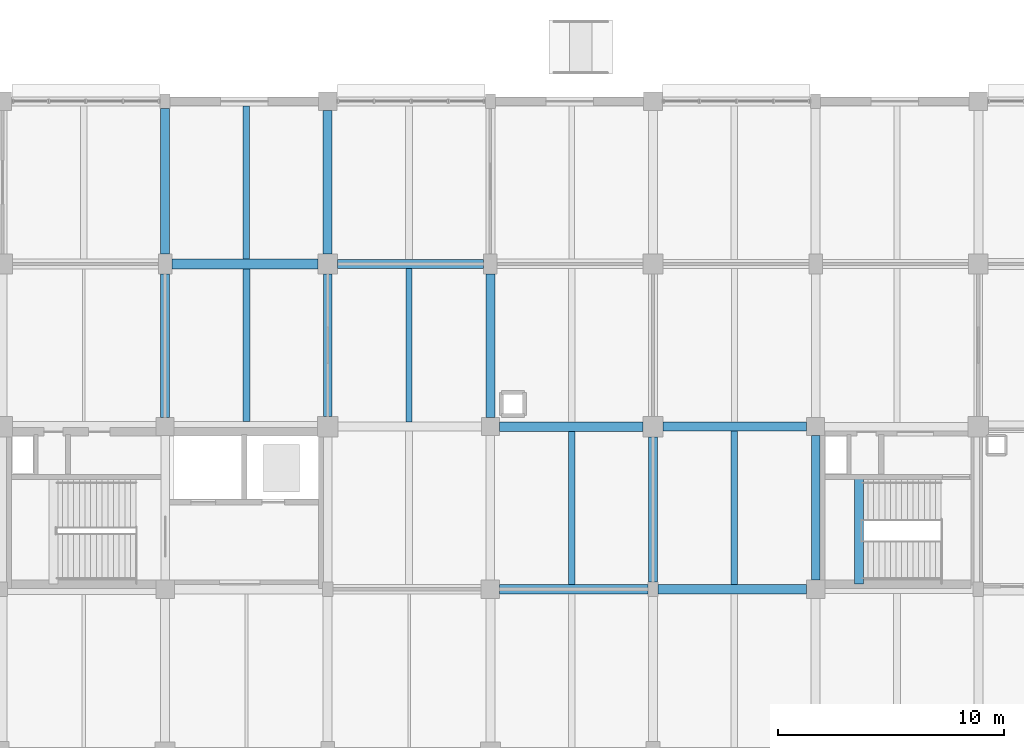
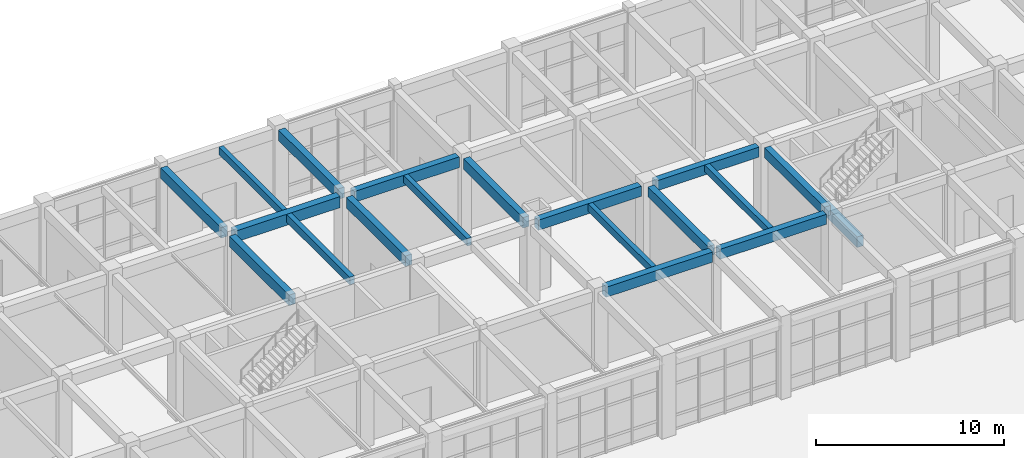
# One storey, part 64 of 160: 19 beams.
"""IFC4 building model written with IfcOpenShell, lengths in metres."""

from ifc_helpers import new_model, si_unit, direction, frame, origin, origin_2d, place, context, subcontext, project, spatial, rectangle, extrude, material, material_profile, profile_set, type_object, element, save


model = new_model("IFC4")

# Units and contexts
model_context = context("Model", 3, precision=1e-05, world=origin(), true_north=direction((0.0, 1.0)))
body_context = subcontext(model_context, "Body", "Model", "MODEL_VIEW")
ifc_project = project(units=[si_unit("LENGTHUNIT", "METRE"), si_unit("AREAUNIT", "SQUARE_METRE"), si_unit("VOLUMEUNIT", "CUBIC_METRE"), si_unit("PLANEANGLEUNIT", "RADIAN"), si_unit("MASSUNIT", "GRAM", prefix="KILO")], contexts=[model_context])

# Site, building, storey
site_placement = place(None, origin())
site = spatial("IfcSite", under=ifc_project, at=site_placement, CompositionType="ELEMENT")
building_placement = place(site_placement, origin())
building = spatial("IfcBuilding", under=site, at=building_placement, Name="Thalmaran Polytechnic", CompositionType="ELEMENT")
storey_placement = place(building_placement, origin())
storey = spatial("IfcBuildingStorey", under=building, at=storey_placement, Name="L00", CompositionType="ELEMENT", Elevation=0.0)

# Beams
ifc_material = material(Name="Concrete C40/50", Category="concrete")
ifc_material_profile_1 = material_profile(ifc_material, rectangle(XDim=0.39990234375, YDim=0.699951171875, at=origin_2d()), Name="RC 400x700")
ifc_profile_set_1 = profile_set([ifc_material_profile_1], Name="Concrete C40/50")
beam_type_1 = type_object("IfcBeamType", Name="BM-RC05", PredefinedType="BEAM", material=ifc_profile_set_1)
beam_1_placement = place(storey_placement, frame((36.43994140625, 115.199951171875, 4.739990234375), z_axis=(1.0, 0.0, 0.0), x_axis=(0.0, 1.0, 0.0)))
element("IfcBeam", 1, at=beam_1_placement, inside=storey, type_object=beam_type_1, Name="Grid Beam B05 L00 X(5,16)", PredefinedType="BEAM", context=body_context, shape_type="SweptSolid", body=[
    extrude(rectangle(XDim=0.39990234375, YDim=0.699951171875, at=origin_2d()), origin(), (0.0, 0.0, 1.0), 6.4599609375),
])
ifc_material_profile_2 = material_profile(ifc_material, rectangle(XDim=0.39990234375, YDim=0.64990234375, at=origin_2d()), Name="RC 400x650")
ifc_profile_set_2 = profile_set([ifc_material_profile_2], Name="Concrete C40/50")
beam_type_2 = type_object("IfcBeamType", Name="BM-RC06", PredefinedType="BEAM", material=ifc_profile_set_2)
beam_2_placement = place(storey_placement, frame((50.625, 100.800048828125, 4.764892578125), z_axis=(1.0, 0.0, 0.0), x_axis=(0.0, 1.0, 0.0)))
element("IfcBeam", 2, at=beam_2_placement, inside=storey, type_object=beam_type_2, Name="Grid Beam B06 L00 X(7,14)", PredefinedType="BEAM", context=body_context, shape_type="SweptSolid", body=[
    extrude(rectangle(XDim=0.39990234375, YDim=0.64990234375, at=origin_2d()), origin(), (0.0, 0.0, 1.0), 6.56494140625),
])
beam_3_placement = place(storey_placement, frame((50.85009765625, 108.0, 4.764892578125), z_axis=(1.0, 0.0, 0.0), x_axis=(0.0, 1.0, 0.0)))
element("IfcBeam", 3, at=beam_3_placement, inside=storey, type_object=beam_type_2, Name="Grid Beam B06 L00 X(7,15)", PredefinedType="BEAM", context=body_context, shape_type="SweptSolid", body=[
    extrude(rectangle(XDim=0.39990234375, YDim=0.64990234375, at=origin_2d()), origin(), (0.0, 0.0, 1.0), 6.349853515625),
])
ifc_material_profile_3 = material_profile(ifc_material, rectangle(XDim=0.389892578125, YDim=0.68505859375, at=origin_2d()), Name="RC 390x685")
ifc_profile_set_3 = profile_set([ifc_material_profile_3], Name="Concrete C40/50")
beam_type_3 = type_object("IfcBeamType", Name="BM-RC08", PredefinedType="BEAM", material=ifc_profile_set_3)
beam_4_placement = place(storey_placement, frame((28.800048828125, 108.39990234375, 4.74755859375), z_axis=(0.0, 1.0, 0.0), x_axis=(-1.0, 0.0, 0.0)))
element("IfcBeam", 4, at=beam_4_placement, inside=storey, type_object=beam_type_3, Name="Grid Beam B08 L00 Y(4,15)", PredefinedType="BEAM", context=body_context, shape_type="SweptSolid", body=[
    extrude(rectangle(XDim=0.389892578125, YDim=0.68505859375, at=origin_2d()), origin(), (0.0, 0.0, 1.0), 6.35009765625),
])
beam_5_placement = place(storey_placement, frame((36.0, 108.449951171875, 4.74755859375), z_axis=(0.0, 1.0, 0.0), x_axis=(-1.0, 0.0, 0.0)))
element("IfcBeam", 5, at=beam_5_placement, inside=storey, type_object=beam_type_3, Name="Grid Beam B08 L00 Y(5,15)", PredefinedType="BEAM", context=body_context, shape_type="SweptSolid", body=[
    extrude(rectangle(XDim=0.389892578125, YDim=0.68505859375, at=origin_2d()), origin(), (0.0, 0.0, 1.0), 6.31005859375),
])
beam_6_placement = place(storey_placement, frame((43.199951171875, 108.39990234375, 4.74755859375), z_axis=(0.0, 1.0, 0.0), x_axis=(-1.0, 0.0, 0.0)))
element("IfcBeam", 6, at=beam_6_placement, inside=storey, type_object=beam_type_3, Name="Grid Beam B08 L00 Y(6,15)", PredefinedType="BEAM", context=body_context, shape_type="SweptSolid", body=[
    extrude(rectangle(XDim=0.389892578125, YDim=0.68505859375, at=origin_2d()), origin(), (0.0, 0.0, 1.0), 6.35009765625),
])
ifc_material_profile_4 = material_profile(ifc_material, rectangle(XDim=0.389892578125, YDim=0.695068359375, at=origin_2d()), Name="RC 390x695")
ifc_profile_set_4 = profile_set([ifc_material_profile_4], Name="Concrete C40/50")
beam_type_4 = type_object("IfcBeamType", Name="BM-RC10", PredefinedType="BEAM", material=ifc_profile_set_4)
beam_7_placement = place(storey_placement, frame((59.52001953125, 101.0400390625, 2.239990234375), z_axis=(0.0, 1.0, 0.0), x_axis=(-1.0, 0.0, 0.0)))
element("IfcBeam", 7, at=beam_7_placement, inside=storey, type_object=beam_type_4, Name="ST6 L00 Half-Landing Trimmer Beam", PredefinedType="BEAM", context=body_context, shape_type="SweptSolid", body=[
    extrude(rectangle(XDim=0.389892578125, YDim=0.695068359375, at=origin_2d()), origin(), (0.0, 0.0, 1.0), 4.699951171875),
])
ifc_material_profile_5 = material_profile(ifc_material, rectangle(XDim=0.300048828125, YDim=0.5, at=origin_2d()), Name="RC 300x500")
ifc_profile_set_5 = profile_set([ifc_material_profile_5], Name="Concrete C40/50")
beam_type_5 = type_object("IfcBeamType", Name="BM-RC11", PredefinedType="JOIST", material=ifc_profile_set_5)
beam_8_placement = place(storey_placement, frame((32.39990234375, 108.219970703125, 4.840087890625), z_axis=(0.0, 1.0, 0.0), x_axis=(-1.0, 0.0, 0.0)))
element("IfcBeam", 8, at=beam_8_placement, inside=storey, type_object=beam_type_5, Name="Secondary Floor Rib RB01 L00 (4,15)", PredefinedType="JOIST", context=body_context, shape_type="SweptSolid", body=[
    extrude(rectangle(XDim=0.300048828125, YDim=0.5, at=origin_2d()), origin(), (0.0, 0.0, 1.0), 6.760009765625),
])
ifc_material_profile_6 = material_profile(ifc_material, rectangle(XDim=0.300048828125, YDim=0.449951171875, at=origin_2d()), Name="RC 300x450")
ifc_profile_set_6 = profile_set([ifc_material_profile_6], Name="Concrete C40/50")
beam_type_6 = type_object("IfcBeamType", Name="BM-RC12", PredefinedType="JOIST", material=ifc_profile_set_6)
beam_9_placement = place(storey_placement, frame((54.0, 101.0, 4.864990234375), z_axis=(0.0, 1.0, 0.0), x_axis=(-1.0, 0.0, 0.0)))
element("IfcBeam", 9, at=beam_9_placement, inside=storey, type_object=beam_type_6, Name="Secondary Floor Rib RB02 L00 (7,14)", PredefinedType="JOIST", context=body_context, shape_type="SweptSolid", body=[
    extrude(rectangle(XDim=0.300048828125, YDim=0.449951171875, at=origin_2d()), origin(), (0.0, 0.0, 1.0), 6.800048828125),
])
ifc_material_profile_7 = material_profile(ifc_material, rectangle(XDim=0.43994140625, YDim=0.719970703125, at=origin_2d()), Name="RC 440x720")
ifc_profile_set_7 = profile_set([ifc_material_profile_7], Name="Concrete C40/50")
beam_type_7 = type_object("IfcBeamType", Name="BM-ZB03", PredefinedType="BEAM", material=ifc_profile_set_7)
beam_10_placement = place(storey_placement, frame((29.10009765625, 115.199951171875, 4.72998046875), z_axis=(1.0, 0.0, 0.0), x_axis=(0.0, 1.0, 0.0)))
element("IfcBeam", 10, at=beam_10_placement, inside=storey, type_object=beam_type_7, Name="Grid Beam ZB03 L00 X(4,16)", PredefinedType="BEAM", context=body_context, shape_type="SweptSolid", body=[
    extrude(rectangle(XDim=0.43994140625, YDim=0.719970703125, at=origin_2d()), origin(), (0.0, 0.0, 1.0), 6.4599609375),
])
ifc_material_profile_8 = material_profile(ifc_material, rectangle(XDim=0.419921875, YDim=0.659912109375, at=origin_2d()), Name="RC 420x660")
ifc_profile_set_8 = profile_set([ifc_material_profile_8], Name="Concrete C40/50")
beam_type_8 = type_object("IfcBeamType", Name="BM-ZB04", PredefinedType="BEAM", material=ifc_profile_set_8)
beam_11_placement = place(storey_placement, frame((43.610107421875, 100.800048828125, 4.760009765625), z_axis=(1.0, 0.0, 0.0), x_axis=(0.0, 1.0, 0.0)))
element("IfcBeam", 11, at=beam_11_placement, inside=storey, type_object=beam_type_8, Name="Grid Beam ZB04 L00 X(6,14)", PredefinedType="BEAM", context=body_context, shape_type="SweptSolid", body=[
    extrude(rectangle(XDim=0.419921875, YDim=0.659912109375, at=origin_2d()), origin(), (0.0, 0.0, 1.0), 6.56494140625),
])
beam_12_placement = place(storey_placement, frame((43.60009765625, 108.0, 4.760009765625), z_axis=(1.0, 0.0, 0.0), x_axis=(0.0, 1.0, 0.0)))
element("IfcBeam", 12, at=beam_12_placement, inside=storey, type_object=beam_type_8, Name="Grid Beam ZB04 L00 X(6,15)", PredefinedType="BEAM", context=body_context, shape_type="SweptSolid", body=[
    extrude(rectangle(XDim=0.419921875, YDim=0.659912109375, at=origin_2d()), origin(), (0.0, 0.0, 1.0), 6.349853515625),
])
ifc_material_profile_9 = material_profile(ifc_material, rectangle(XDim=0.3798828125, YDim=0.635009765625, at=origin_2d()), Name="RC 380x635")
ifc_profile_set_9 = profile_set([ifc_material_profile_9], Name="Concrete C40/50")
beam_type_9 = type_object("IfcBeamType", Name="BM-ZB06", PredefinedType="BEAM", material=ifc_profile_set_9)
beam_13_placement = place(storey_placement, frame((50.39990234375, 101.125, 4.7724609375), z_axis=(0.0, 1.0, 0.0), x_axis=(-1.0, 0.0, 0.0)))
element("IfcBeam", 13, at=beam_13_placement, inside=storey, type_object=beam_type_9, Name="Grid Beam ZB06 L00 Y(7,14)", PredefinedType="BEAM", context=body_context, shape_type="SweptSolid", body=[
    extrude(rectangle(XDim=0.3798828125, YDim=0.635009765625, at=origin_2d()), origin(), (0.0, 0.0, 1.0), 6.425048828125),
])
beam_14_placement = place(storey_placement, frame((57.60009765625, 101.2099609375, 4.7724609375), z_axis=(0.0, 1.0, 0.0), x_axis=(-1.0, 0.0, 0.0)))
element("IfcBeam", 14, at=beam_14_placement, inside=storey, type_object=beam_type_9, Name="Grid Beam ZB06 L00 Y(8,14)", PredefinedType="BEAM", context=body_context, shape_type="SweptSolid", body=[
    extrude(rectangle(XDim=0.3798828125, YDim=0.635009765625, at=origin_2d()), origin(), (0.0, 0.0, 1.0), 6.39013671875),
])
ifc_material_profile_10 = material_profile(ifc_material, rectangle(XDim=0.39990234375, YDim=0.68505859375, at=origin_2d()), Name="RC 400x685")
ifc_profile_set_10 = profile_set([ifc_material_profile_10], Name="Concrete C40/50")
beam_type_10 = type_object("IfcBeamType", Name="BM-ZB07", PredefinedType="BEAM", material=ifc_profile_set_10)
beam_15_placement = place(storey_placement, frame((28.800048828125, 115.64990234375, 4.74755859375), z_axis=(0.0, 1.0, 0.0), x_axis=(-1.0, 0.0, 0.0)))
element("IfcBeam", 15, at=beam_15_placement, inside=storey, type_object=beam_type_10, Name="Grid Beam ZB07 L00 Y(4,16)", PredefinedType="BEAM", context=body_context, shape_type="SweptSolid", body=[
    extrude(rectangle(XDim=0.39990234375, YDim=0.68505859375, at=origin_2d()), origin(), (0.0, 0.0, 1.0), 6.425048828125),
])
beam_16_placement = place(storey_placement, frame((36.0, 115.639892578125, 4.74755859375), z_axis=(0.0, 1.0, 0.0), x_axis=(-1.0, 0.0, 0.0)))
element("IfcBeam", 16, at=beam_16_placement, inside=storey, type_object=beam_type_10, Name="Grid Beam ZB07 L00 Y(5,16)", PredefinedType="BEAM", context=body_context, shape_type="SweptSolid", body=[
    extrude(rectangle(XDim=0.39990234375, YDim=0.68505859375, at=origin_2d()), origin(), (0.0, 0.0, 1.0), 6.35009765625),
])
ifc_material_profile_11 = material_profile(ifc_material, rectangle(XDim=0.280029296875, YDim=0.47998046875, at=origin_2d()), Name="RC 280x480")
ifc_profile_set_11 = profile_set([ifc_material_profile_11], Name="Concrete C40/50")
beam_type_11 = type_object("IfcBeamType", Name="BM-ZJ01", PredefinedType="JOIST", material=ifc_profile_set_11)
beam_17_placement = place(storey_placement, frame((32.39990234375, 115.419921875, 4.85009765625), z_axis=(0.0, 1.0, 0.0), x_axis=(-1.0, 0.0, 0.0)))
element("IfcBeam", 17, at=beam_17_placement, inside=storey, type_object=beam_type_11, Name="Secondary Floor Rib ZJ01 L00 (4,16)", PredefinedType="JOIST", context=body_context, shape_type="SweptSolid", body=[
    extrude(rectangle(XDim=0.280029296875, YDim=0.47998046875, at=origin_2d()), origin(), (0.0, 0.0, 1.0), 6.780029296875),
])
beam_18_placement = place(storey_placement, frame((39.60009765625, 108.199951171875, 4.85009765625), z_axis=(0.0, 1.0, 0.0), x_axis=(-1.0, 0.0, 0.0)))
element("IfcBeam", 18, at=beam_18_placement, inside=storey, type_object=beam_type_11, Name="Secondary Floor Rib ZJ01 L00 (5,15)", PredefinedType="JOIST", context=body_context, shape_type="SweptSolid", body=[
    extrude(rectangle(XDim=0.280029296875, YDim=0.47998046875, at=origin_2d()), origin(), (0.0, 0.0, 1.0), 6.800048828125),
])
beam_19_placement = place(storey_placement, frame((46.800048828125, 101.010009765625, 4.85009765625), z_axis=(0.0, 1.0, 0.0), x_axis=(-1.0, 0.0, 0.0)))
element("IfcBeam", 19, at=beam_19_placement, inside=storey, type_object=beam_type_11, Name="Secondary Floor Rib ZJ01 L00 (6,14)", PredefinedType="JOIST", context=body_context, shape_type="SweptSolid", body=[
    extrude(rectangle(XDim=0.280029296875, YDim=0.47998046875, at=origin_2d()), origin(), (0.0, 0.0, 1.0), 6.780029296875),
])

save(model, "model.ifc")
